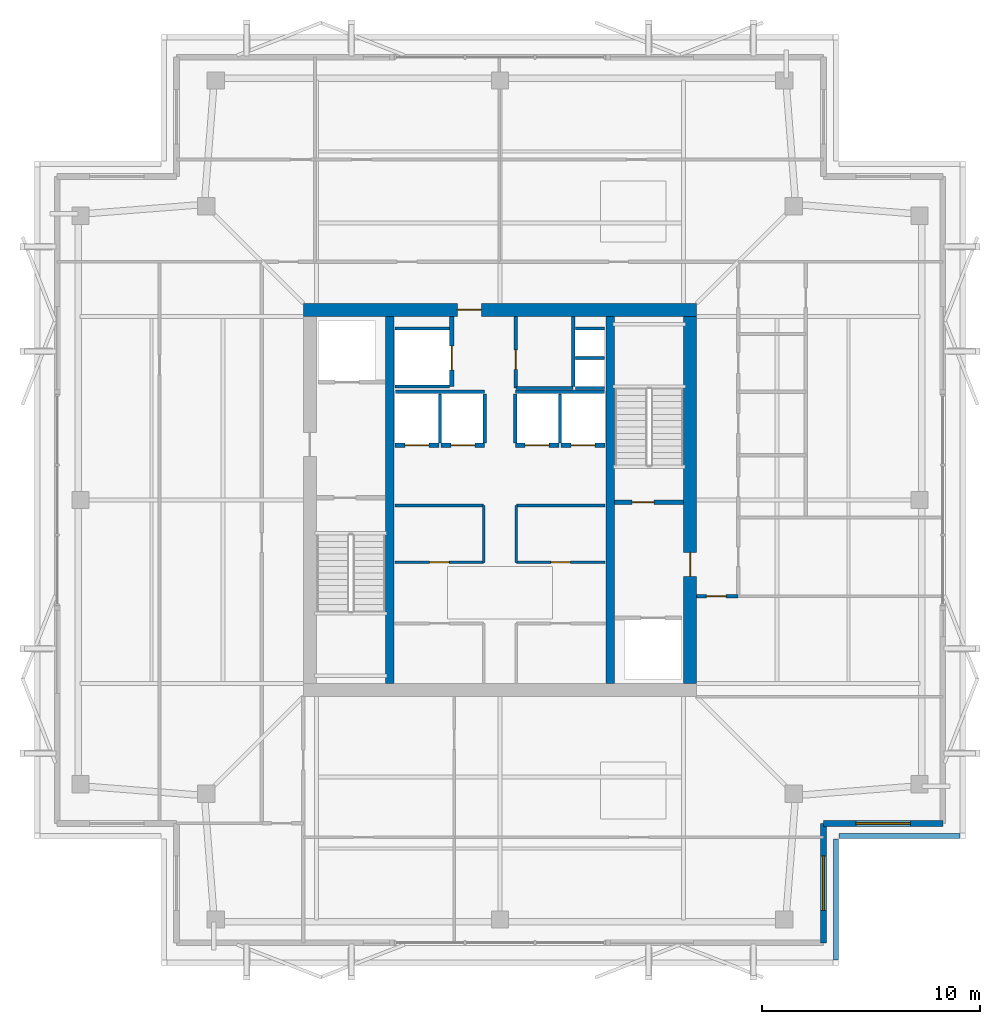
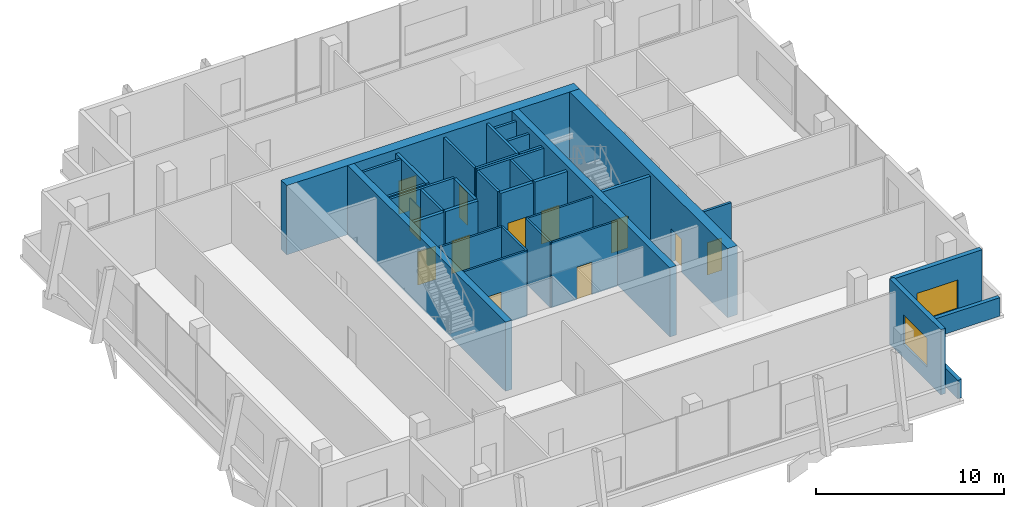
# One storey, part 14 of 17: 35 walls, 12 doors, 2 windows, 14 openings.
"""IFC4 building model written with IfcOpenShell, lengths in metres."""

import ifcopenshell
import ifcopenshell.guid

model = None  # the IFC model being written
_history = None  # IfcOwnerHistory: only IFC2X3 demands one
_inside = {}  # id of a spatial element -> (the spatial element, [elements in it])
_under = {}  # id of a project, library or spatial element -> (it, [spatial elements below it])
_declared = {}  # id of a project -> (the project, [libraries it declares])
_typed = {}  # id of a type object -> (the type object, [elements of that type])
_made_of = {}  # id of a material, layer set ... -> (it, [elements and type objects made of it])


def new_model(schema):
    """Start an empty IFC model of exactly this schema.

    Asked for "IFC4X3", IfcOpenShell would pick the latest addendum, in which some entities
    have other attributes; the version numbers below select the first issue.
    IFC2X3 requires an IfcOwnerHistory on every rooted entity: one is made here for all.
    """
    global model, _history
    if schema == "IFC4X3":
        model = ifcopenshell.file(schema_version=(4, 3, 0, 0))
    else:
        model = ifcopenshell.file(schema=schema)
    _inside.clear()
    _under.clear()
    _declared.clear()
    _typed.clear()
    _made_of.clear()
    _history = None
    if model.schema == "IFC2X3":
        org = make("IfcOrganization", Name="unknown")
        user = make(
            "IfcPersonAndOrganization",
            ThePerson=make("IfcPerson", FamilyName="unknown"),
            TheOrganization=org,
        )
        app = make(
            "IfcApplication",
            ApplicationDeveloper=org,
            Version="unknown",
            ApplicationFullName="unknown",
            ApplicationIdentifier="unknown",
        )
        _history = make(
            "IfcOwnerHistory",
            OwningUser=user,
            OwningApplication=app,
            ChangeAction="ADDED",
            CreationDate=0,
        )
    return model


def make(cls, **values):
    """One entity of the class cls with the attributes given. An attribute that is None is left unset."""
    return model.create_entity(
        cls, **{name: value for name, value in values.items() if value is not None}
    )


def rooted(cls, **values):
    """An entity with a GlobalId (a new one), such as an element, a storey or a relation."""
    return make(cls, GlobalId=ifcopenshell.guid.new(), OwnerHistory=_history, **values)


def si_unit(unit_type, name, prefix=None):
    """IfcSIUnit, for example si_unit("LENGTHUNIT", "METRE", prefix="MILLI")."""
    return make("IfcSIUnit", UnitType=unit_type, Prefix=prefix, Name=name)


def assignment(units):
    """IfcUnitAssignment: the units of a project."""
    return None if units is None else make("IfcUnitAssignment", Units=units)


def point(xyz):
    """IfcCartesianPoint."""
    return None if xyz is None else make("IfcCartesianPoint", Coordinates=xyz)


def direction(xyz):
    """IfcDirection."""
    return None if xyz is None else make("IfcDirection", DirectionRatios=xyz)


def frame(location, z_axis=None, x_axis=None):
    """IfcAxis2Placement3D, a coordinate frame: its origin and axes. An axis left out is left unset."""
    return make(
        "IfcAxis2Placement3D",
        Location=point(location),
        Axis=direction(z_axis),
        RefDirection=direction(x_axis),
    )


def frame_2d(location, x_axis=None):
    """IfcAxis2Placement2D, a coordinate frame in the plane: its origin and x axis."""
    return make(
        "IfcAxis2Placement2D", Location=point(location), RefDirection=direction(x_axis)
    )


def origin():
    """The frame at (0, 0, 0) with its axes left unset."""
    return frame((0.0, 0.0, 0.0))


def place(relative_to, where):
    """IfcLocalPlacement: puts the frame where relative to a parent placement (None: the world)."""
    return make(
        "IfcLocalPlacement", PlacementRelTo=relative_to, RelativePlacement=where
    )


def context(
    kind, dimensions, precision=None, world=None, true_north=None, identifier=None
):
    """IfcGeometricRepresentationContext, for example the 3D "Model" context."""
    return make(
        "IfcGeometricRepresentationContext",
        ContextIdentifier=identifier,
        ContextType=kind,
        CoordinateSpaceDimension=dimensions,
        Precision=precision,
        WorldCoordinateSystem=world,
        TrueNorth=true_north,
    )


def subcontext(parent, identifier, kind, view, scale=None):
    """IfcGeometricRepresentationSubContext, for example "Body" below "Model"."""
    return make(
        "IfcGeometricRepresentationSubContext",
        ContextIdentifier=identifier,
        ContextType=kind,
        ParentContext=parent,
        TargetScale=scale,
        TargetView=view,
    )


def project(units=None, contexts=None):
    """IfcProject with its units and contexts."""
    return rooted(
        "IfcProject",
        Name="project",
        RepresentationContexts=contexts,
        UnitsInContext=assignment(units),
    )


def spatial(cls, under=None, at=None, **own):
    """A site, building, storey or space (cls), placed at a placement, below another one or the project."""
    s = rooted(cls, ObjectPlacement=at, **own)
    if under is not None:
        _under.setdefault(under.id(), (under, []))[1].append(s)
    return s


def profile(cls, at=None, kind="AREA", **sizes):
    """A parametric profile (cls). Its sizes go by their IFC names, for example OverallWidth=200.0."""
    return make(cls, ProfileType=kind, Position=at, **sizes)


def rectangle(**sizes):
    """IfcRectangleProfileDef."""
    return profile("IfcRectangleProfileDef", **sizes)


def extrude(swept, where, along, depth):
    """IfcExtrudedAreaSolid: the profile swept, set in the frame where, extruded along a direction by depth."""
    return make(
        "IfcExtrudedAreaSolid",
        SweptArea=swept,
        Position=where,
        ExtrudedDirection=direction(along),
        Depth=depth,
    )


def shape(context_of_items, identifier, shape_type, items):
    """IfcShapeRepresentation: the items that make up one representation, for example the "Body"."""
    return make(
        "IfcShapeRepresentation",
        ContextOfItems=context_of_items,
        RepresentationIdentifier=identifier,
        RepresentationType=shape_type,
        Items=items,
    )


def material(Name=None, Category=None):
    """IfcMaterial."""
    return make("IfcMaterial", Name=Name, Category=Category)


def layer(
    of_material, thickness, ventilated=None, Name=None, Category=None, Priority=None
):
    """IfcMaterialLayer: one layer of a wall or slab, of a material (None: an air gap)."""
    return make(
        "IfcMaterialLayer",
        Material=of_material,
        LayerThickness=thickness,
        IsVentilated=ventilated,
        Name=Name,
        Category=Category,
        Priority=Priority,
    )


def layer_set(layers, Name=None):
    """IfcMaterialLayerSet."""
    return make("IfcMaterialLayerSet", MaterialLayers=layers, LayerSetName=Name)


def made_of(thing, what):
    """Note that an element or type object is made of a material, layer set ...; save() writes the relation."""
    if what is not None:
        _made_of.setdefault(what.id(), (what, []))[1].append(thing)
    return thing


def type_object(cls, material=None, **own):
    """A type object (cls), such as IfcWallType, which elements share."""
    return made_of(rooted(cls, **own), material)


def element(
    cls,
    number,
    at=None,
    inside=None,
    cuts=None,
    type_object=None,
    material=None,
    context=None,
    identifier="Body",
    shape_type=None,
    held_by="IfcProductDefinitionShape",
    body=None,
    shapes=None,
    **own,
):
    """One element of the class cls, such as IfcWall. Its Tag is "e" and its number.

    at: its placement. inside: the storey or other place that contains it. cuts: it is an
    opening in that element (IfcRelVoidsElement). A single representation is given by context,
    identifier, shape_type and body (its items); several are given by shapes. held_by: the class
    of the entity that holds the representations. save() writes the other relations.
    """
    e = rooted(cls, Tag="e%d" % number, ObjectPlacement=at, **own)
    if body is not None:
        shapes = [shape(context, identifier, shape_type, body)]
    if shapes is not None:
        e.Representation = make(held_by, Representations=shapes)
    if inside is not None:
        _inside.setdefault(inside.id(), (inside, []))[1].append(e)
    if cuts is not None:
        rooted(
            "IfcRelVoidsElement", RelatingBuildingElement=cuts, RelatedOpeningElement=e
        )
    if type_object is not None:
        _typed.setdefault(type_object.id(), (type_object, []))[1].append(e)
    return made_of(e, material)


def fill(opening, filler):
    """IfcRelFillsElement: the door or window that sits in an opening."""
    return rooted(
        "IfcRelFillsElement",
        RelatingOpeningElement=opening,
        RelatedBuildingElement=filler,
    )


def aggregate(whole, parts):
    """IfcRelAggregates: a whole, such as a stair, and the parts it consists of."""
    return rooted("IfcRelAggregates", RelatingObject=whole, RelatedObjects=parts)


def save(model, path):
    """Write the relations noted so far, then the file.

    IfcRelAggregates (storeys below a building ...), IfcRelContainedInSpatialStructure (elements
    in a storey), IfcRelDefinesByType, IfcRelAssociatesMaterial and IfcRelDeclares: one each for
    every whole, place, type object, material and project.
    """
    for whole, parts in _under.values():
        aggregate(whole, parts)
    for where, things in _inside.values():
        rooted(
            "IfcRelContainedInSpatialStructure",
            RelatedElements=things,
            RelatingStructure=where,
        )
    for kind, things in _typed.values():
        rooted("IfcRelDefinesByType", RelatedObjects=things, RelatingType=kind)
    for what, things in _made_of.values():
        rooted("IfcRelAssociatesMaterial", RelatedObjects=things, RelatingMaterial=what)
    for by, libraries in _declared.values():
        rooted("IfcRelDeclares", RelatingContext=by, RelatedDefinitions=libraries)
    model.write(path)


model = new_model("IFC4")

# Units and contexts
model_context = context("Model", 3, precision=1e-05, world=origin(), true_north=direction((0.0, 1.0)))
body_context = subcontext(model_context, "Body", "Model", "MODEL_VIEW")
ifc_project = project(units=[si_unit("LENGTHUNIT", "METRE"), si_unit("AREAUNIT", "SQUARE_METRE"), si_unit("VOLUMEUNIT", "CUBIC_METRE"), si_unit("PLANEANGLEUNIT", "RADIAN"), si_unit("MASSUNIT", "GRAM", prefix="KILO")], contexts=[model_context])

# Site, building, storey
site_placement = place(None, origin())
site = spatial("IfcSite", under=ifc_project, at=site_placement, CompositionType="ELEMENT")
building_placement = place(site_placement, origin())
building = spatial("IfcBuilding", under=site, at=building_placement, Name="Belovzor Exchange Tower", CompositionType="ELEMENT")
storey_placement = place(building_placement, frame((0.0, 0.0, 355.5)))
storey = spatial("IfcBuildingStorey", under=building, at=storey_placement, Name="L89", CompositionType="ELEMENT", Elevation=355.5)

# Wall, opening, door
ifc_material_1 = material(Name="Fire-Rated Plasterboard on Galvanised Studs", Category="gypsum")
ifc_layer_1 = layer(ifc_material_1, 0.1201171875)
ifc_layer_set_1 = layer_set([ifc_layer_1], Name="Fire-Rated Plasterboard on Galvanised Studs")
wall_type_1 = type_object("IfcWallType", Name="Fire-Rated Double-Stud Partition Wall 120", PredefinedType="PARTITIONING", material=ifc_layer_set_1)
wall_1_placement = place(storey_placement, frame((24.0, 25.949951171875, 0.0), z_axis=(0.0, 0.0, 1.0), x_axis=(1.0, 0.0, 0.0)))
wall_1 = element("IfcWall", 1, at=wall_1_placement, inside=storey, type_object=wall_type_1, Name="W-P120F Partition Wall W-CRM-L89-WS", PredefinedType="PARTITIONING", context=body_context, shape_type="SweptSolid", body=[
    extrude(rectangle(XDim=4.050048828125, YDim=0.1201171875, at=frame_2d((2.02490234375, 0.0))), origin(), (0.0, 0.0, 1.0), 4.239990234375),
])
opening_1_placement = place(wall_1_placement, frame((1.574951171875, 0.0, 0.0)))
opening_1 = element("IfcOpeningElement", 2, at=opening_1_placement, cuts=wall_1, Name="Opening D-FD60-090", PredefinedType="OPENING", context=body_context, shape_type="SweptSolid", body=[
    extrude(rectangle(XDim=0.89990234375, YDim=2.10009765625, at=frame_2d((0.449951171875, 1.050048828125))), frame((0.0, 0.070068359375, 0.0), z_axis=(0.0, -1.0, 0.0), x_axis=(1.0, 0.0, 0.0)), (0.0, 0.0, 1.0), 0.14013671875),
])
ifc_material_2 = material(Name="Acoustic Timber Fire Leaf", Category="wood")
door_type_1 = type_object("IfcDoorType", Name="Core Service & Restroom Fire Door 900x2100", OperationType="NOTDEFINED", PredefinedType="DOOR", material=ifc_material_2)
door_1_placement = place(opening_1_placement, origin())
door_1 = element("IfcDoor", 3, at=door_1_placement, inside=storey, type_object=door_type_1, Name="D-FD60-090 Core Service & Restroom Fire Door 900x2100", OperationType="SINGLE_SWING_LEFT", OverallHeight=2.10009765625, OverallWidth=0.89990234375, PredefinedType="DOOR", context=body_context, shape_type="SweptSolid", body=[
    extrude(rectangle(XDim=0.89990234375, YDim=2.10009765625, at=frame_2d((0.449951171875, 1.050048828125))), frame((0.0, 0.02490234375, 0.0), z_axis=(0.0, -1.0, 0.0), x_axis=(1.0, 0.0, 0.0)), (0.0, 0.0, 1.0), 0.050048828125),
])
fill(opening_1, door_1)

# Walls
wall_2_placement = place(storey_placement, frame((24.0, 28.550048828125, 0.0), z_axis=(0.0, 0.0, 1.0), x_axis=(1.0, 0.0, 0.0)))
element("IfcWall", 4, at=wall_2_placement, inside=storey, type_object=wall_type_1, Name="W-P120F Partition Wall W-CRM-L89-WN", PredefinedType="PARTITIONING", context=body_context, shape_type="SweptSolid", body=[
    extrude(rectangle(XDim=4.050048828125, YDim=0.1201171875, at=frame_2d((2.02490234375, 0.0))), origin(), (0.0, 0.0, 1.0), 4.239990234375),
])
wall_3_placement = place(storey_placement, frame((28.050048828125, 25.949951171875, 0.0), z_axis=(0.0, 0.0, 1.0), x_axis=(0.0, 1.0, 0.0)))
element("IfcWall", 5, at=wall_3_placement, inside=storey, type_object=wall_type_1, Name="W-P120F Partition Wall W-CRM-L89-WE", PredefinedType="PARTITIONING", context=body_context, shape_type="SweptSolid", body=[
    extrude(rectangle(XDim=2.60009765625, YDim=0.1201171875, at=frame_2d((1.300048828125, 0.0))), origin(), (0.0, 0.0, 1.0), 4.239990234375),
])

# Wall, opening, door
wall_4_placement = place(storey_placement, frame((29.550048828125, 25.949951171875, 0.0), z_axis=(0.0, 0.0, 1.0), x_axis=(1.0, 0.0, 0.0)))
wall_4 = element("IfcWall", 6, at=wall_4_placement, inside=storey, type_object=wall_type_1, Name="W-P120F Partition Wall W-CRM-L89-ES", PredefinedType="PARTITIONING", context=body_context, shape_type="SweptSolid", body=[
    extrude(rectangle(XDim=4.050048828125, YDim=0.1201171875, at=frame_2d((2.02490234375, 0.0))), origin(), (0.0, 0.0, 1.0), 4.239990234375),
])
opening_2_placement = place(wall_4_placement, frame((1.574951171875, 0.0, 0.0)))
opening_2 = element("IfcOpeningElement", 7, at=opening_2_placement, cuts=wall_4, Name="Opening D-FD60-090", PredefinedType="OPENING", context=body_context, shape_type="SweptSolid", body=[
    extrude(rectangle(XDim=0.89990234375, YDim=2.10009765625, at=frame_2d((0.449951171875, 1.050048828125))), frame((0.0, 0.070068359375, 0.0), z_axis=(0.0, -1.0, 0.0), x_axis=(1.0, 0.0, 0.0)), (0.0, 0.0, 1.0), 0.14013671875),
])
door_2_placement = place(opening_2_placement, origin())
door_2 = element("IfcDoor", 8, at=door_2_placement, inside=storey, type_object=door_type_1, Name="D-FD60-090 Core Service & Restroom Fire Door 900x2100", OperationType="SINGLE_SWING_RIGHT", OverallHeight=2.10009765625, OverallWidth=0.89990234375, PredefinedType="DOOR", context=body_context, shape_type="SweptSolid", body=[
    extrude(rectangle(XDim=0.89990234375, YDim=2.10009765625, at=frame_2d((0.449951171875, 1.050048828125))), frame((0.0, 0.02490234375, 0.0), z_axis=(0.0, -1.0, 0.0), x_axis=(1.0, 0.0, 0.0)), (0.0, 0.0, 1.0), 0.050048828125),
])
fill(opening_2, door_2)

# Walls
wall_5_placement = place(storey_placement, frame((29.550048828125, 28.550048828125, 0.0), z_axis=(0.0, 0.0, 1.0), x_axis=(1.0, 0.0, 0.0)))
element("IfcWall", 9, at=wall_5_placement, inside=storey, type_object=wall_type_1, Name="W-P120F Partition Wall W-CRM-L89-EN", PredefinedType="PARTITIONING", context=body_context, shape_type="SweptSolid", body=[
    extrude(rectangle(XDim=4.050048828125, YDim=0.1201171875, at=frame_2d((2.02490234375, 0.0))), origin(), (0.0, 0.0, 1.0), 4.239990234375),
])
wall_6_placement = place(storey_placement, frame((29.550048828125, 25.949951171875, 0.0), z_axis=(0.0, 0.0, 1.0), x_axis=(0.0, 1.0, 0.0)))
element("IfcWall", 10, at=wall_6_placement, inside=storey, type_object=wall_type_1, Name="W-P120F Partition Wall W-CRM-L89-EW", PredefinedType="PARTITIONING", context=body_context, shape_type="SweptSolid", body=[
    extrude(rectangle(XDim=2.60009765625, YDim=0.1201171875, at=frame_2d((1.300048828125, 0.0))), origin(), (0.0, 0.0, 1.0), 4.239990234375),
])

# Wall, opening, door
ifc_material_3 = material(Name="Fire-Rated Gypsum Block and Mineral Wool", Category="gypsum")
ifc_layer_2 = layer(ifc_material_3, 0.14990234375)
ifc_layer_set_2 = layer_set([ifc_layer_2], Name="Fire-Rated Gypsum Block and Mineral Wool")
wall_type_2 = type_object("IfcWallType", Name="Fire-Rated Gypsum Block Corridor Wall 150", PredefinedType="PARTITIONING", material=ifc_layer_set_2)
wall_7_placement = place(storey_placement, frame((29.52490234375, 33.925048828125, 0.0), z_axis=(0.0, 0.0, 1.0), x_axis=(0.0, 1.0, 0.0)))
wall_7 = element("IfcWall", 11, at=wall_7_placement, inside=storey, type_object=wall_type_2, Name="W-P150 Partition Wall W-CRV-L89-W", PredefinedType="PARTITIONING", context=body_context, shape_type="SweptSolid", body=[
    extrude(rectangle(XDim=3.27490234375, YDim=0.14990234375, at=frame_2d((1.637451171875, 0.0))), origin(), (0.0, 0.0, 1.0), 4.239990234375),
])
opening_3_placement = place(wall_7_placement, frame((0.85009765625, 0.0, 0.0)))
opening_3 = element("IfcOpeningElement", 12, at=opening_3_placement, cuts=wall_7, Name="Opening D-FD60-090", PredefinedType="OPENING", context=body_context, shape_type="SweptSolid", body=[
    extrude(rectangle(XDim=0.89990234375, YDim=2.10009765625, at=frame_2d((0.449951171875, 1.050048828125))), frame((0.0, 0.0849609375, 0.0), z_axis=(0.0, -1.0, 0.0), x_axis=(1.0, 0.0, 0.0)), (0.0, 0.0, 1.0), 0.169921875),
])
door_3_placement = place(opening_3_placement, origin())
door_3 = element("IfcDoor", 13, at=door_3_placement, inside=storey, type_object=door_type_1, Name="D-FD60-090 Core Service & Restroom Fire Door 900x2100", OperationType="SINGLE_SWING_LEFT", OverallHeight=2.10009765625, OverallWidth=0.89990234375, PredefinedType="DOOR", context=body_context, shape_type="SweptSolid", body=[
    extrude(rectangle(XDim=0.89990234375, YDim=2.10009765625, at=frame_2d((0.449951171875, 1.050048828125))), frame((0.0, 0.02490234375, 0.0), z_axis=(0.0, -1.0, 0.0), x_axis=(1.0, 0.0, 0.0)), (0.0, 0.0, 1.0), 0.050048828125),
])
fill(opening_3, door_3)

# Wall
wall_8_placement = place(storey_placement, frame((29.52490234375, 33.925048828125, 0.0), z_axis=(0.0, 0.0, 1.0), x_axis=(1.0, 0.0, 0.0)))
element("IfcWall", 14, at=wall_8_placement, inside=storey, type_object=wall_type_2, Name="W-P150 Partition Wall W-CRV-L89-S", PredefinedType="PARTITIONING", context=body_context, shape_type="SweptSolid", body=[
    extrude(rectangle(XDim=2.625, YDim=0.14990234375, at=frame_2d((1.3125, 0.0))), origin(), (0.0, 0.0, 1.0), 4.239990234375),
])

# Wall, opening, door
wall_9_placement = place(storey_placement, frame((37.800048828125, 24.39990234375, 0.0), z_axis=(0.0, 0.0, 1.0), x_axis=(1.0, 0.0, 0.0)))
wall_9 = element("IfcWall", 15, at=wall_9_placement, inside=storey, type_object=wall_type_2, Name="W-P150 Partition Wall W-L89-CE-END", PredefinedType="PARTITIONING", context=body_context, shape_type="SweptSolid", body=[
    extrude(rectangle(XDim=1.89990234375, YDim=0.14990234375, at=frame_2d((0.949951171875, 0.0))), origin(), (0.0, 0.0, 1.0), 4.239990234375),
])
opening_4_placement = place(wall_9_placement, frame((0.449951171875, 0.0, 0.0)))
opening_4 = element("IfcOpeningElement", 16, at=opening_4_placement, cuts=wall_9, Name="Opening D-FD60-090", PredefinedType="OPENING", context=body_context, shape_type="SweptSolid", body=[
    extrude(rectangle(XDim=0.89990234375, YDim=2.10009765625, at=frame_2d((0.449951171875, 1.050048828125))), frame((0.0, 0.0849609375, 0.0), z_axis=(0.0, -1.0, 0.0), x_axis=(1.0, 0.0, 0.0)), (0.0, 0.0, 1.0), 0.169921875),
])
door_4_placement = place(opening_4_placement, origin())
door_4 = element("IfcDoor", 17, at=door_4_placement, inside=storey, type_object=door_type_1, Name="D-FD60-090 Core Service & Restroom Fire Door 900x2100", OperationType="SINGLE_SWING_LEFT", OverallHeight=2.10009765625, OverallWidth=0.89990234375, PredefinedType="DOOR", context=body_context, shape_type="SweptSolid", body=[
    extrude(rectangle(XDim=0.89990234375, YDim=2.10009765625, at=frame_2d((0.449951171875, 1.050048828125))), frame((0.0, 0.02490234375, 0.0), z_axis=(0.0, -1.0, 0.0), x_axis=(1.0, 0.0, 0.0)), (0.0, 0.0, 1.0), 0.050048828125),
])
fill(opening_4, door_4)

# Wall, opening, window
ifc_material_4 = material(Name="Precast concrete C40/50", Category="concrete")
ifc_layer_3 = layer(ifc_material_4, 0.280029296875)
ifc_layer_set_3 = layer_set([ifc_layer_3], Name="Precast concrete C40/50")
wall_type_3 = type_object("IfcWallType", Name="Precast Concrete Notched Corner Frame Wall 280", PredefinedType="SOLIDWALL", material=ifc_layer_set_3)
wall_10_placement = place(storey_placement, frame((49.070068359375, 14.0, 0.0), z_axis=(0.0, 0.0, 1.0), x_axis=(-1.0, 0.0, 0.0)))
wall_10 = element("IfcWall", 18, at=wall_10_placement, inside=storey, type_object=wall_type_3, Name="W-CRN280 Precast Concrete Notched Corner Frame Wall 280 L89", PredefinedType="SOLIDWALL", context=body_context, shape_type="SweptSolid", body=[
    extrude(rectangle(XDim=5.469970703125, YDim=0.280029296875, at=frame_2d((2.73486328125, 0.0))), origin(), (0.0, 0.0, 1.0), 4.239990234375),
])
opening_5_placement = place(wall_10_placement, frame((1.485107421875, 0.0, 0.89990234375)))
opening_5 = element("IfcOpeningElement", 19, at=opening_5_placement, cuts=wall_10, Name="Opening WN-CRN250", PredefinedType="OPENING", context=body_context, shape_type="SweptSolid", body=[
    extrude(rectangle(XDim=2.5, YDim=1.89990234375, at=frame_2d((1.25, 0.949951171875))), frame((0.0, 0.14990234375, 0.0), z_axis=(0.0, -1.0, 0.0), x_axis=(1.0, 0.0, 0.0)), (0.0, 0.0, 1.0), 0.300048828125),
])
ifc_material_5 = material(Name="Thermally Broken Aluminium and Triple Glazing", Category="aluminium")
window_type = type_object("IfcWindowType", Name="Streamline Moderne Corner Wrap Ribbon Window 2500x1900", PartitioningType="SINGLE_PANEL", PredefinedType="WINDOW", material=ifc_material_5)
window_1_placement = place(opening_5_placement, origin())
window_1 = element("IfcWindow", 20, at=window_1_placement, inside=storey, type_object=window_type, Name="WN-CRN250 Streamline Moderne Corner Wrap Ribbon Window 2500x1900", OverallHeight=1.89990234375, OverallWidth=2.5, PartitioningType="SINGLE_PANEL", PredefinedType="WINDOW", context=body_context, shape_type="SweptSolid", body=[
    extrude(rectangle(XDim=2.5, YDim=1.89990234375, at=frame_2d((1.25, 0.949951171875))), frame((0.0, 0.030029296875, 0.0), z_axis=(0.0, -1.0, 0.0), x_axis=(1.0, 0.0, 0.0)), (0.0, 0.0, 1.0), 0.06005859375),
])
fill(opening_5, window_1)

wall_11_placement = place(storey_placement, frame((43.60009765625, 14.0, 0.0), z_axis=(0.0, 0.0, 1.0), x_axis=(0.0, -1.0, 0.0)))
wall_11 = element("IfcWall", 21, at=wall_11_placement, inside=storey, type_object=wall_type_3, Name="W-CRN280 Precast Concrete Notched Corner Frame Wall 280 L89", PredefinedType="SOLIDWALL", context=body_context, shape_type="SweptSolid", body=[
    extrude(rectangle(XDim=5.469970703125, YDim=0.280029296875, at=frame_2d((2.73486328125, 0.0))), origin(), (0.0, 0.0, 1.0), 4.239990234375),
])
opening_6_placement = place(wall_11_placement, frame((1.485107421875, 0.0, 0.89990234375)))
opening_6 = element("IfcOpeningElement", 22, at=opening_6_placement, cuts=wall_11, Name="Opening WN-CRN250", PredefinedType="OPENING", context=body_context, shape_type="SweptSolid", body=[
    extrude(rectangle(XDim=2.5, YDim=1.89990234375, at=frame_2d((1.25, 0.949951171875))), frame((0.0, 0.14990234375, 0.0), z_axis=(0.0, -1.0, 0.0), x_axis=(1.0, 0.0, 0.0)), (0.0, 0.0, 1.0), 0.300048828125),
])
window_2_placement = place(opening_6_placement, origin())
window_2 = element("IfcWindow", 23, at=window_2_placement, inside=storey, type_object=window_type, Name="WN-CRN250 Streamline Moderne Corner Wrap Ribbon Window 2500x1900", OverallHeight=1.89990234375, OverallWidth=2.5, PartitioningType="SINGLE_PANEL", PredefinedType="WINDOW", context=body_context, shape_type="SweptSolid", body=[
    extrude(rectangle(XDim=2.5, YDim=1.89990234375, at=frame_2d((1.25, 0.949951171875))), frame((0.0, 0.030029296875, 0.0), z_axis=(0.0, -1.0, 0.0), x_axis=(1.0, 0.0, 0.0)), (0.0, 0.0, 1.0), 0.06005859375),
])
fill(opening_6, window_2)

# Walls
ifc_material_6 = material(Name="Precast concrete C40/50", Category="concrete")
ifc_layer_4 = layer(ifc_material_6, 0.239990234375)
ifc_layer_set_4 = layer_set([ifc_layer_4], Name="Precast concrete C40/50")
wall_type_4 = type_object("IfcWallType", Name="Precast Stone Setback Roof Parapet Wall 240", PredefinedType="PARAPET", material=ifc_layer_set_4)
for number, where, z_axis, x_axis, name in (
    (24, (44.179931640625, 7.7548828125, 0.0), (0.0, 0.0, 1.0), (0.0, 1.0, 0.0), "W-PAR240 Precast Stone Setback Roof Parapet Wall 240 L89"),
    (25, (44.31494140625, 13.419921875, 0.0), (0.0, 0.0, 1.0), (1.0, 0.0, 0.0), "W-PAR240 Precast Stone Setback Roof Parapet Wall 240 L89"),
):
    element("IfcWall", number, at=place(storey_placement, frame(where, z_axis=z_axis, x_axis=x_axis)), inside=storey, type_object=wall_type_4, Name=name, PredefinedType="PARAPET", context=body_context, shape_type="SweptSolid", body=[
        extrude(rectangle(XDim=5.530029296875, YDim=0.239990234375, at=frame_2d((2.76513671875, 0.0))), origin(), (0.0, 0.0, 1.0), 1.199951171875),
    ])
ifc_material_7 = material(Name="Concrete C50/60", Category="concrete")
ifc_layer_5 = layer(ifc_material_7, 0.39990234375)
ifc_layer_set_5 = layer_set([ifc_layer_5], Name="Concrete C50/60")
wall_type_5 = type_object("IfcWallType", Name="Reinforced Concrete Core Internal Web Wall 400", PredefinedType="SHEAR", material=ifc_layer_set_5)
for number, where, z_axis, x_axis, name in (
    (26, (23.75, 20.39990234375, 0.0), (0.0, 0.0, 1.0), (0.0, 1.0, 0.0), "CW-W040 Core Internal Web Wall L89 WL"),
    (27, (33.85009765625, 20.39990234375, 0.0), (0.0, 0.0, 1.0), (0.0, 1.0, 0.0), "CW-W040 Core Internal Web Wall L89 ER"),
):
    element("IfcWall", number, at=place(storey_placement, frame(where, z_axis=z_axis, x_axis=x_axis)), inside=storey, type_object=wall_type_5, Name=name, PredefinedType="SHEAR", context=body_context, shape_type="SweptSolid", body=[
        extrude(rectangle(XDim=16.800048828125, YDim=0.39990234375, at=frame_2d((8.39990234375, 0.0))), origin(), (0.0, 0.0, 1.0), 4.5),
    ])
ifc_material_8 = material(Name="Concrete C50/60", Category="concrete")
ifc_layer_6 = layer(ifc_material_8, 0.14990234375)
ifc_layer_set_6 = layer_set([ifc_layer_6], Name="Concrete C50/60")
wall_type_6 = type_object("IfcWallType", Name="Reinforced Concrete Core Riser Shear Wall 150", PredefinedType="SHEAR", material=ifc_layer_set_6)
wall_12_placement = place(storey_placement, frame((32.14990234375, 34.0, 0.0), z_axis=(0.0, 0.0, 1.0), x_axis=(0.0, 1.0, 0.0)))
element("IfcWall", 28, at=wall_12_placement, inside=storey, type_object=wall_type_6, Name="W-C150S Core Shaft Wall W-RSR-L89-E", PredefinedType="SHEAR", context=body_context, shape_type="SweptSolid", body=[
    extrude(rectangle(XDim=3.199951171875, YDim=0.14990234375, at=frame_2d((1.60009765625, 0.0))), origin(), (0.0, 0.0, 1.0), 4.239990234375),
])
for number, where, z_axis, x_axis, name in (
    (29, (32.25, 33.925048828125, 0.0), (0.0, 0.0, 1.0), (1.0, 0.0, 0.0), "W-C150S Core Shaft Wall W-RSR-L89-S"),
    (30, (32.25, 35.300048828125, 0.0), (0.0, 0.0, 1.0), (1.0, 0.0, 0.0), "W-C150S Core Shaft Wall W-RSR-L89-M"),
):
    element("IfcWall", number, at=place(storey_placement, frame(where, z_axis=z_axis, x_axis=x_axis)), inside=storey, type_object=wall_type_6, Name=name, PredefinedType="SHEAR", context=body_context, shape_type="SweptSolid", body=[
        extrude(rectangle(XDim=1.330078125, YDim=0.14990234375, at=frame_2d((0.6650390625, 0.0))), origin(), (0.0, 0.0, 1.0), 4.239990234375),
    ])
for number, where, z_axis, x_axis, name in (
    (31, (24.0, 34.0, 0.0), (0.0, 0.0, 1.0), (1.0, 0.0, 0.0), "W-C150S Core Shaft Wall W-SH-L89-SL-01S"),
    (32, (24.0, 36.64990234375, 0.0), (0.0, 0.0, 1.0), (1.0, 0.0, 0.0), "W-C150S Core Shaft Wall W-SH-L89-SL-01N"),
):
    element("IfcWall", number, at=place(storey_placement, frame(where, z_axis=z_axis, x_axis=x_axis)), inside=storey, type_object=wall_type_6, Name=name, PredefinedType="SHEAR", context=body_context, shape_type="SweptSolid", body=[
        extrude(rectangle(XDim=2.47998046875, YDim=0.14990234375, at=frame_2d((1.239990234375, 0.0))), origin(), (0.0, 0.0, 1.0), 4.239990234375),
    ])
wall_13_placement = place(storey_placement, frame((32.25, 36.64990234375, 0.0), z_axis=(0.0, 0.0, 1.0), x_axis=(1.0, 0.0, 0.0)))
element("IfcWall", 33, at=wall_13_placement, inside=storey, type_object=wall_type_6, Name="W-C150S Core Shaft Wall W-RSR-L89-N", PredefinedType="SHEAR", context=body_context, shape_type="SweptSolid", body=[
    extrude(rectangle(XDim=1.330078125, YDim=0.14990234375, at=frame_2d((0.6650390625, 0.0))), origin(), (0.0, 0.0, 1.0), 4.239990234375),
])
for number, where, z_axis, x_axis, name in (
    (34, (24.02001953125, 33.760009765625, 0.0), (0.0, 0.0, 1.0), (1.0, 0.0, 0.0), "W-C150S Core Shaft Wall W-SHB-L89-PLH-NW"),
    (35, (29.5, 33.760009765625, 0.0), (0.0, 0.0, 1.0), (1.0, 0.0, 0.0), "W-C150S Core Shaft Wall W-SHB-L89-PLH-NE"),
):
    element("IfcWall", number, at=place(storey_placement, frame(where, z_axis=z_axis, x_axis=x_axis)), inside=storey, type_object=wall_type_6, Name=name, PredefinedType="SHEAR", context=body_context, shape_type="SweptSolid", body=[
        extrude(rectangle(XDim=4.080078125, YDim=0.14990234375, at=frame_2d((2.0400390625, 0.0))), origin(), (0.0, 0.0, 1.0), 4.239990234375),
    ])
for number, where, z_axis, x_axis, name in (
    (36, (26.050048828125, 31.419921875, 0.0), (0.0, 0.0, 1.0), (0.0, 1.0, 0.0), "W-C150S Core Shaft Wall W-SHD-L89-PLH-1"),
    (37, (28.10009765625, 31.419921875, 0.0), (0.0, 0.0, 1.0), (0.0, 1.0, 0.0), "W-C150S Core Shaft Wall W-SHD-L89-PLH-2"),
    (38, (29.5, 31.419921875, 0.0), (0.0, 0.0, 1.0), (0.0, 1.0, 0.0), "W-C150S Core Shaft Wall W-SHD-L89-PLH-3"),
    (39, (31.550048828125, 31.419921875, 0.0), (0.0, 0.0, 1.0), (0.0, 1.0, 0.0), "W-C150S Core Shaft Wall W-SHD-L89-PLH-4"),
):
    element("IfcWall", number, at=place(storey_placement, frame(where, z_axis=z_axis, x_axis=x_axis)), inside=storey, type_object=wall_type_6, Name=name, PredefinedType="SHEAR", context=body_context, shape_type="SweptSolid", body=[
        extrude(rectangle(XDim=2.239990234375, YDim=0.14990234375, at=frame_2d((1.1201171875, 0.0))), origin(), (0.0, 0.0, 1.0), 4.239990234375),
    ])

# Wall, opening, door
ifc_material_9 = material(Name="Concrete C50/60", Category="concrete")
ifc_layer_7 = layer(ifc_material_9, 0.199951171875)
ifc_layer_set_7 = layer_set([ifc_layer_7], Name="Concrete C50/60")
wall_type_7 = type_object("IfcWallType", Name="Reinforced Concrete Core Shaft Shear Wall 200", PredefinedType="SHEAR", material=ifc_layer_set_7)
wall_14_placement = place(storey_placement, frame((34.050048828125, 28.699951171875, 0.0), z_axis=(0.0, 0.0, 1.0), x_axis=(1.0, 0.0, 0.0)))
wall_14 = element("IfcWall", 40, at=wall_14_placement, inside=storey, type_object=wall_type_7, Name="W-C200S Core Shaft Wall W-CORE-L89-FFLE2", PredefinedType="SHEAR", context=body_context, shape_type="SweptSolid", body=[
    extrude(rectangle(XDim=3.14990234375, YDim=0.199951171875, at=frame_2d((1.574951171875, 0.0))), origin(), (0.0, 0.0, 1.0), 4.239990234375),
])
opening_7_placement = place(wall_14_placement, frame((0.800048828125, 0.0, 0.0)))
opening_7 = element("IfcOpeningElement", 41, at=opening_7_placement, cuts=wall_14, Name="Opening D-FD90-100", PredefinedType="OPENING", context=body_context, shape_type="SweptSolid", body=[
    extrude(rectangle(XDim=1.0, YDim=2.10009765625, at=frame_2d((0.5, 1.050048828125))), frame((0.0, 0.10986328125, 0.0), z_axis=(0.0, -1.0, 0.0), x_axis=(1.0, 0.0, 0.0)), (0.0, 0.0, 1.0), 0.219970703125),
])
ifc_material_10 = material(Name="Fire-Rated Galvanised Steel Leaf", Category="steel")
door_type_2 = type_object("IfcDoorType", Name="Protected Stairwell Single Fire Door 1000x2100", OperationType="NOTDEFINED", PredefinedType="DOOR", material=ifc_material_10)
door_5_placement = place(opening_7_placement, origin())
door_5 = element("IfcDoor", 42, at=door_5_placement, inside=storey, type_object=door_type_2, Name="D-FD90-100 Protected Stairwell Single Fire Door 1000x2100", OperationType="SINGLE_SWING_LEFT", OverallHeight=2.10009765625, OverallWidth=1.0, PredefinedType="DOOR", context=body_context, shape_type="SweptSolid", body=[
    extrude(rectangle(XDim=1.0, YDim=2.10009765625, at=frame_2d((0.5, 1.050048828125))), frame((0.0, 0.02490234375, 0.0), z_axis=(0.0, -1.0, 0.0), x_axis=(1.0, 0.0, 0.0)), (0.0, 0.0, 1.0), 0.050048828125),
])
fill(opening_7, door_5)

wall_15_placement = place(storey_placement, frame((26.60009765625, 34.0, 0.0), z_axis=(0.0, 0.0, 1.0), x_axis=(0.0, 1.0, 0.0)))
wall_15 = element("IfcWall", 43, at=wall_15_placement, inside=storey, type_object=wall_type_7, Name="W-C200S Core Shaft Wall W-SH-L89-SL-01", PredefinedType="SHEAR", context=body_context, shape_type="SweptSolid", body=[
    extrude(rectangle(XDim=3.199951171875, YDim=0.199951171875, at=frame_2d((1.60009765625, 0.0))), origin(), (0.0, 0.0, 1.0), 4.239990234375),
])
opening_8_placement = place(wall_15_placement, frame((0.75, 0.0, 0.0)))
opening_8 = element("IfcOpeningElement", 44, at=opening_8_placement, cuts=wall_15, Name="Opening LD-110", PredefinedType="OPENING", context=body_context, shape_type="SweptSolid", body=[
    extrude(rectangle(XDim=1.10009765625, YDim=2.14990234375, at=frame_2d((0.550048828125, 1.074951171875))), frame((0.0, 0.10986328125, 0.0), z_axis=(0.0, -1.0, 0.0), x_axis=(1.0, 0.0, 0.0)), (0.0, 0.0, 1.0), 0.219970703125),
])
ifc_material_11 = material(Name="Stainless Steel Grade 304", Category="steel")
door_type_3 = type_object("IfcDoorType", Name="Automated Stainless Steel Lift Landing Door 1100x2150", OperationType="SLIDING_TO_RIGHT", PredefinedType="DOOR", material=ifc_material_11)
door_6_placement = place(opening_8_placement, origin())
door_6 = element("IfcDoor", 45, at=door_6_placement, inside=storey, type_object=door_type_3, Name="LD-110 Automated Stainless Steel Lift Landing Door 1100x2150", OperationType="SLIDING_TO_RIGHT", OverallHeight=2.14990234375, OverallWidth=1.10009765625, PredefinedType="DOOR", context=body_context, shape_type="SweptSolid", body=[
    extrude(rectangle(XDim=1.10009765625, YDim=2.14990234375, at=frame_2d((0.550048828125, 1.074951171875))), frame((0.0, 0.02490234375, 0.0), z_axis=(0.0, -1.0, 0.0), x_axis=(1.0, 0.0, 0.0)), (0.0, 0.0, 1.0), 0.050048828125),
])
fill(opening_8, door_6)

wall_16_placement = place(storey_placement, frame((24.0, 31.300048828125, 0.0), z_axis=(0.0, 0.0, 1.0), x_axis=(1.0, 0.0, 0.0)))
wall_16 = element("IfcWall", 46, at=wall_16_placement, inside=storey, type_object=wall_type_7, Name="W-C200S Core Shaft Wall W-SH-L89-PL-H1", PredefinedType="SHEAR", context=body_context, shape_type="SweptSolid", body=[
    extrude(rectangle(XDim=2.0, YDim=0.199951171875, at=frame_2d((1.0, 0.0))), origin(), (0.0, 0.0, 1.0), 4.239990234375),
])
opening_9_placement = place(wall_16_placement, frame((0.449951171875, 0.0, 0.0)))
opening_9 = element("IfcOpeningElement", 47, at=opening_9_placement, cuts=wall_16, Name="Opening LD-110", PredefinedType="OPENING", context=body_context, shape_type="SweptSolid", body=[
    extrude(rectangle(XDim=1.10009765625, YDim=2.14990234375, at=frame_2d((0.550048828125, 1.074951171875))), frame((0.0, 0.10986328125, 0.0), z_axis=(0.0, -1.0, 0.0), x_axis=(1.0, 0.0, 0.0)), (0.0, 0.0, 1.0), 0.219970703125),
])
door_7_placement = place(opening_9_placement, origin())
door_7 = element("IfcDoor", 48, at=door_7_placement, inside=storey, type_object=door_type_3, Name="LD-110 Automated Stainless Steel Lift Landing Door 1100x2150", OperationType="SLIDING_TO_RIGHT", OverallHeight=2.14990234375, OverallWidth=1.10009765625, PredefinedType="DOOR", context=body_context, shape_type="SweptSolid", body=[
    extrude(rectangle(XDim=1.10009765625, YDim=2.14990234375, at=frame_2d((0.550048828125, 1.074951171875))), frame((0.0, 0.02490234375, 0.0), z_axis=(0.0, -1.0, 0.0), x_axis=(1.0, 0.0, 0.0)), (0.0, 0.0, 1.0), 0.050048828125),
])
fill(opening_9, door_7)

wall_17_placement = place(storey_placement, frame((26.10009765625, 31.300048828125, 0.0), z_axis=(0.0, 0.0, 1.0), x_axis=(1.0, 0.0, 0.0)))
wall_17 = element("IfcWall", 49, at=wall_17_placement, inside=storey, type_object=wall_type_7, Name="W-C200S Core Shaft Wall W-SH-L89-PL-H2", PredefinedType="SHEAR", context=body_context, shape_type="SweptSolid", body=[
    extrude(rectangle(XDim=2.0, YDim=0.199951171875, at=frame_2d((1.0, 0.0))), origin(), (0.0, 0.0, 1.0), 4.239990234375),
])
opening_10_placement = place(wall_17_placement, frame((0.449951171875, 0.0, 0.0)))
opening_10 = element("IfcOpeningElement", 50, at=opening_10_placement, cuts=wall_17, Name="Opening LD-110", PredefinedType="OPENING", context=body_context, shape_type="SweptSolid", body=[
    extrude(rectangle(XDim=1.10009765625, YDim=2.14990234375, at=frame_2d((0.550048828125, 1.074951171875))), frame((0.0, 0.10986328125, 0.0), z_axis=(0.0, -1.0, 0.0), x_axis=(1.0, 0.0, 0.0)), (0.0, 0.0, 1.0), 0.219970703125),
])
door_8_placement = place(opening_10_placement, origin())
door_8 = element("IfcDoor", 51, at=door_8_placement, inside=storey, type_object=door_type_3, Name="LD-110 Automated Stainless Steel Lift Landing Door 1100x2150", OperationType="SLIDING_TO_RIGHT", OverallHeight=2.14990234375, OverallWidth=1.10009765625, PredefinedType="DOOR", context=body_context, shape_type="SweptSolid", body=[
    extrude(rectangle(XDim=1.10009765625, YDim=2.14990234375, at=frame_2d((0.550048828125, 1.074951171875))), frame((0.0, 0.02490234375, 0.0), z_axis=(0.0, -1.0, 0.0), x_axis=(1.0, 0.0, 0.0)), (0.0, 0.0, 1.0), 0.050048828125),
])
fill(opening_10, door_8)

wall_18_placement = place(storey_placement, frame((29.5, 31.300048828125, 0.0), z_axis=(0.0, 0.0, 1.0), x_axis=(1.0, 0.0, 0.0)))
wall_18 = element("IfcWall", 52, at=wall_18_placement, inside=storey, type_object=wall_type_7, Name="W-C200S Core Shaft Wall W-SH-L89-PL-H3", PredefinedType="SHEAR", context=body_context, shape_type="SweptSolid", body=[
    extrude(rectangle(XDim=2.0, YDim=0.199951171875, at=frame_2d((1.0, 0.0))), origin(), (0.0, 0.0, 1.0), 4.239990234375),
])
opening_11_placement = place(wall_18_placement, frame((0.449951171875, 0.0, 0.0)))
opening_11 = element("IfcOpeningElement", 53, at=opening_11_placement, cuts=wall_18, Name="Opening LD-110", PredefinedType="OPENING", context=body_context, shape_type="SweptSolid", body=[
    extrude(rectangle(XDim=1.10009765625, YDim=2.14990234375, at=frame_2d((0.550048828125, 1.074951171875))), frame((0.0, 0.10986328125, 0.0), z_axis=(0.0, -1.0, 0.0), x_axis=(1.0, 0.0, 0.0)), (0.0, 0.0, 1.0), 0.219970703125),
])
door_9_placement = place(opening_11_placement, origin())
door_9 = element("IfcDoor", 54, at=door_9_placement, inside=storey, type_object=door_type_3, Name="LD-110 Automated Stainless Steel Lift Landing Door 1100x2150", OperationType="SLIDING_TO_RIGHT", OverallHeight=2.14990234375, OverallWidth=1.10009765625, PredefinedType="DOOR", context=body_context, shape_type="SweptSolid", body=[
    extrude(rectangle(XDim=1.10009765625, YDim=2.14990234375, at=frame_2d((0.550048828125, 1.074951171875))), frame((0.0, 0.02490234375, 0.0), z_axis=(0.0, -1.0, 0.0), x_axis=(1.0, 0.0, 0.0)), (0.0, 0.0, 1.0), 0.050048828125),
])
fill(opening_11, door_9)

wall_19_placement = place(storey_placement, frame((31.60009765625, 31.300048828125, 0.0), z_axis=(0.0, 0.0, 1.0), x_axis=(1.0, 0.0, 0.0)))
wall_19 = element("IfcWall", 55, at=wall_19_placement, inside=storey, type_object=wall_type_7, Name="W-C200S Core Shaft Wall W-SH-L89-PL-H4", PredefinedType="SHEAR", context=body_context, shape_type="SweptSolid", body=[
    extrude(rectangle(XDim=2.0, YDim=0.199951171875, at=frame_2d((1.0, 0.0))), origin(), (0.0, 0.0, 1.0), 4.239990234375),
])
opening_12_placement = place(wall_19_placement, frame((0.449951171875, 0.0, 0.0)))
opening_12 = element("IfcOpeningElement", 56, at=opening_12_placement, cuts=wall_19, Name="Opening LD-110", PredefinedType="OPENING", context=body_context, shape_type="SweptSolid", body=[
    extrude(rectangle(XDim=1.10009765625, YDim=2.14990234375, at=frame_2d((0.550048828125, 1.074951171875))), frame((0.0, 0.10986328125, 0.0), z_axis=(0.0, -1.0, 0.0), x_axis=(1.0, 0.0, 0.0)), (0.0, 0.0, 1.0), 0.219970703125),
])
door_10_placement = place(opening_12_placement, origin())
door_10 = element("IfcDoor", 57, at=door_10_placement, inside=storey, type_object=door_type_3, Name="LD-110 Automated Stainless Steel Lift Landing Door 1100x2150", OperationType="SLIDING_TO_RIGHT", OverallHeight=2.14990234375, OverallWidth=1.10009765625, PredefinedType="DOOR", context=body_context, shape_type="SweptSolid", body=[
    extrude(rectangle(XDim=1.10009765625, YDim=2.14990234375, at=frame_2d((0.550048828125, 1.074951171875))), frame((0.0, 0.02490234375, 0.0), z_axis=(0.0, -1.0, 0.0), x_axis=(1.0, 0.0, 0.0)), (0.0, 0.0, 1.0), 0.050048828125),
])
fill(opening_12, door_10)

ifc_material_12 = material(Name="Concrete C50/60", Category="concrete")
ifc_layer_8 = layer(ifc_material_12, 0.60009765625)
ifc_layer_set_8 = layer_set([ifc_layer_8], Name="Concrete C50/60")
wall_type_8 = type_object("IfcWallType", Name="Reinforced Concrete Core Shear Wall 600", PredefinedType="SHEAR", material=ifc_layer_set_8)
wall_20_placement = place(storey_placement, frame((19.800048828125, 37.5, 0.0), z_axis=(0.0, 0.0, 1.0), x_axis=(1.0, 0.0, 0.0)))
wall_20 = element("IfcWall", 58, at=wall_20_placement, inside=storey, type_object=wall_type_8, Name="CW-S060 Core Shear Wall L89 N", PredefinedType="SHEAR", context=body_context, shape_type="SweptSolid", body=[
    extrude(rectangle(XDim=18.0, YDim=0.60009765625, at=frame_2d((9.0, 0.0))), origin(), (0.0, 0.0, 1.0), 4.5),
])
opening_13_placement = place(wall_20_placement, frame((7.050048828125, 0.0, 0.0)))
opening_13 = element("IfcOpeningElement", 59, at=opening_13_placement, cuts=wall_20, Name="Opening D-FD90-110", PredefinedType="OPENING", context=body_context, shape_type="SweptSolid", body=[
    extrude(rectangle(XDim=1.10009765625, YDim=2.14990234375, at=frame_2d((0.550048828125, 1.074951171875))), frame((0.0, 0.31005859375, 0.0), z_axis=(0.0, -1.0, 0.0), x_axis=(1.0, 0.0, 0.0)), (0.0, 0.0, 1.0), 0.6201171875),
])
ifc_material_13 = material(Name="Fire-Rated Galvanised Steel Leaf", Category="steel")
door_type_4 = type_object("IfcDoorType", Name="Protected Escape Vestibule Fire Door 1100x2150", OperationType="NOTDEFINED", PredefinedType="DOOR", material=ifc_material_13)
door_11_placement = place(opening_13_placement, origin())
door_11 = element("IfcDoor", 60, at=door_11_placement, inside=storey, type_object=door_type_4, Name="D-FD90-110 Protected Escape Vestibule Fire Door 1100x2150", OperationType="SINGLE_SWING_LEFT", OverallHeight=2.14990234375, OverallWidth=1.10009765625, PredefinedType="DOOR", context=body_context, shape_type="SweptSolid", body=[
    extrude(rectangle(XDim=1.10009765625, YDim=2.14990234375, at=frame_2d((0.550048828125, 1.074951171875))), frame((0.0, 0.02490234375, 0.0), z_axis=(0.0, -1.0, 0.0), x_axis=(1.0, 0.0, 0.0)), (0.0, 0.0, 1.0), 0.050048828125),
])
fill(opening_13, door_11)

wall_21_placement = place(storey_placement, frame((37.5, 20.39990234375, 0.0), z_axis=(0.0, 0.0, 1.0), x_axis=(0.0, 1.0, 0.0)))
wall_21 = element("IfcWall", 61, at=wall_21_placement, inside=storey, type_object=wall_type_8, Name="CW-S060 Core Shear Wall L89 E", PredefinedType="SHEAR", context=body_context, shape_type="SweptSolid", body=[
    extrude(rectangle(XDim=16.800048828125, YDim=0.60009765625, at=frame_2d((8.39990234375, 0.0))), origin(), (0.0, 0.0, 1.0), 4.5),
])
opening_14_placement = place(wall_21_placement, frame((4.89990234375, 0.0, 0.0)))
opening_14 = element("IfcOpeningElement", 62, at=opening_14_placement, cuts=wall_21, Name="Opening D-FD90-110", PredefinedType="OPENING", context=body_context, shape_type="SweptSolid", body=[
    extrude(rectangle(XDim=1.10009765625, YDim=2.14990234375, at=frame_2d((0.550048828125, 1.074951171875))), frame((0.0, 0.31005859375, 0.0), z_axis=(0.0, -1.0, 0.0), x_axis=(1.0, 0.0, 0.0)), (0.0, 0.0, 1.0), 0.6201171875),
])
door_12_placement = place(opening_14_placement, origin())
door_12 = element("IfcDoor", 63, at=door_12_placement, inside=storey, type_object=door_type_4, Name="D-FD90-110 Protected Escape Vestibule Fire Door 1100x2150", OperationType="SINGLE_SWING_RIGHT", OverallHeight=2.14990234375, OverallWidth=1.10009765625, PredefinedType="DOOR", context=body_context, shape_type="SweptSolid", body=[
    extrude(rectangle(XDim=1.10009765625, YDim=2.14990234375, at=frame_2d((0.550048828125, 1.074951171875))), frame((0.0, 0.02490234375, 0.0), z_axis=(0.0, -1.0, 0.0), x_axis=(1.0, 0.0, 0.0)), (0.0, 0.0, 1.0), 0.050048828125),
])
fill(opening_14, door_12)

save(model, "model.ifc")
